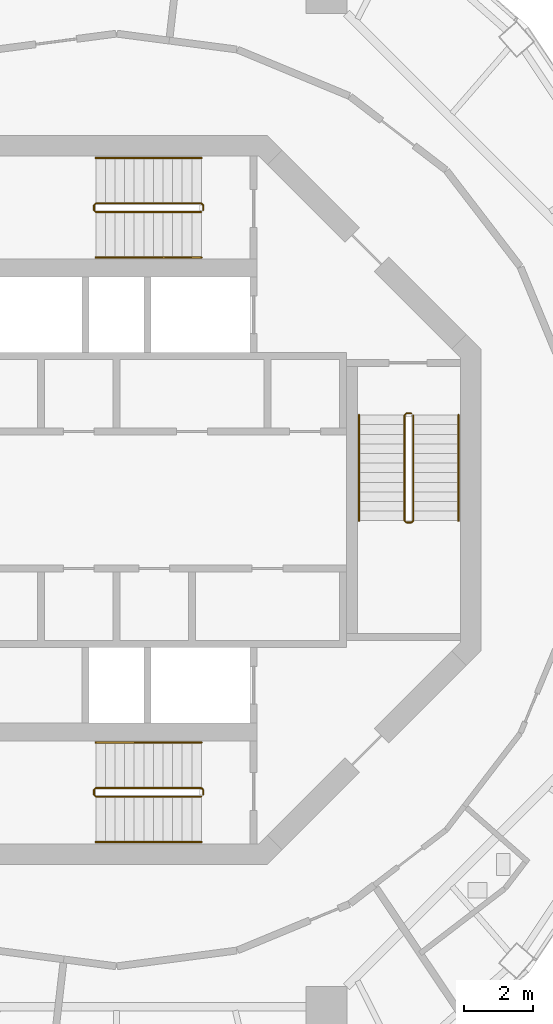
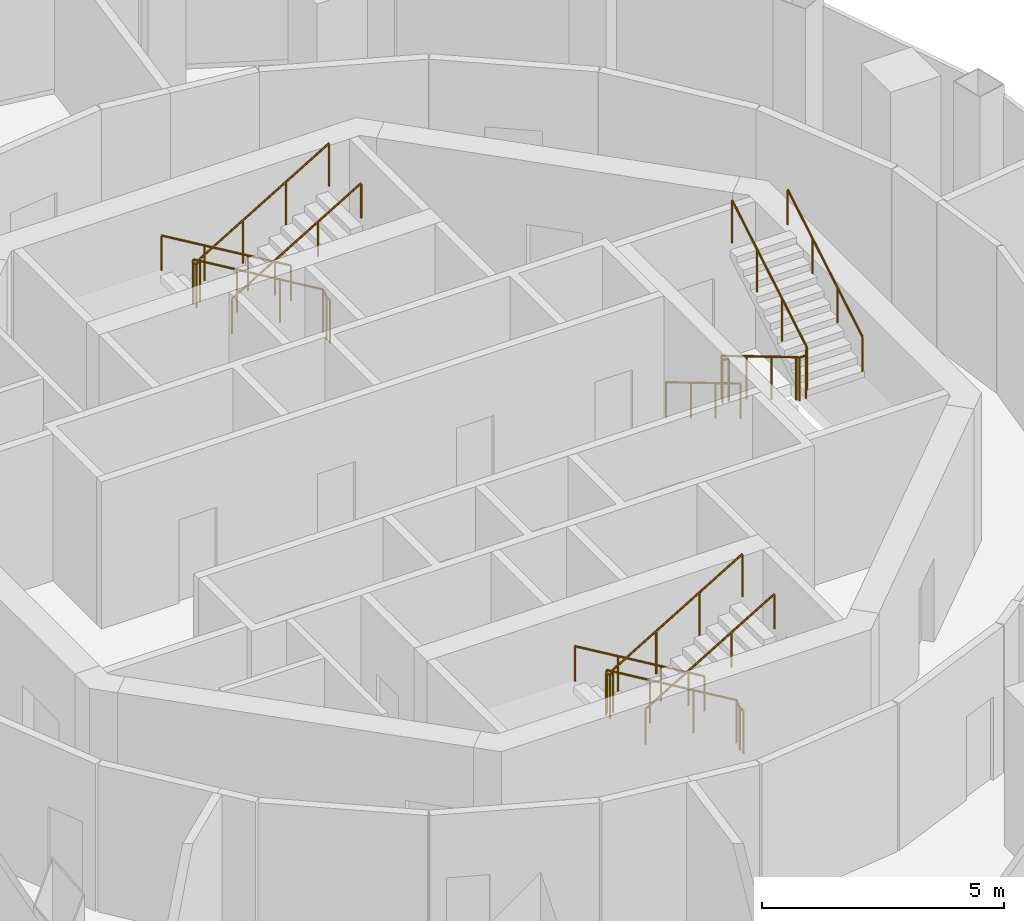
# One storey, part 11 of 12: 9 railings.
"""IFC4 building model written with IfcOpenShell, lengths in metres."""

from ifc_helpers import new_model, si_unit, direction, frame, origin, origin_2d, place, context, subcontext, project, spatial, circle, extrude, material, type_object, element, save


model = new_model("IFC4")

# Units and contexts
model_context = context("Model", 3, precision=1e-05, world=origin(), true_north=direction((0.0, 1.0)))
body_context = subcontext(model_context, "Body", "Model", "MODEL_VIEW")
ifc_project = project(units=[si_unit("LENGTHUNIT", "METRE"), si_unit("AREAUNIT", "SQUARE_METRE"), si_unit("VOLUMEUNIT", "CUBIC_METRE"), si_unit("PLANEANGLEUNIT", "RADIAN"), si_unit("MASSUNIT", "GRAM", prefix="KILO")], contexts=[model_context])

# Site, building, storey
site_placement = place(None, origin())
site = spatial("IfcSite", under=ifc_project, at=site_placement, CompositionType="ELEMENT")
building_placement = place(site_placement, origin())
building = spatial("IfcBuilding", under=site, at=building_placement, Name="Nagisa Residences", CompositionType="ELEMENT")
storey_placement = place(building_placement, frame((0.0, 0.0, 328.89990234375)))
storey = spatial("IfcBuildingStorey", under=building, at=storey_placement, Name="L81", CompositionType="ELEMENT", Elevation=328.89990234375)

# Railings
ifc_material_1 = material(Name="Stainless steel", Category="steel")
railing_type_1 = type_object("IfcRailingType", Name="Stair guard 1100", PredefinedType="GUARDRAIL", material=ifc_material_1)
railing_1_placement = place(storey_placement, frame((8.599609375, 2.52490234375, 0.0)))
element("IfcRailing", 1, at=railing_1_placement, inside=storey, type_object=railing_type_1, Name="L81 ST-E stair guard 1", PredefinedType="GUARDRAIL", context=body_context, shape_type="SweptSolid", body=[
    extrude(circle(Radius=0.02392578125, at=origin_2d()), frame((0.0, 0.0, 1.076171875), z_axis=(-1.0, 0.0, 0.0), x_axis=(0.0, -1.0, 0.0)), (0.0, 0.0, 1.0), 0.14990234375),
    extrude(circle(Radius=0.02392578125, at=origin_2d()), frame((-0.14990234375, 0.0, 1.076171875), z_axis=(-0.276389281352, -0.275041040955, 0.920848191041), x_axis=(0.705375805398, -0.708833529934, 0.0)), (0.0, 0.0, 1.0), 0.18115234375),
    extrude(circle(Radius=0.02392578125, at=origin_2d()), frame((-0.199951171875, -0.0498046875, 1.24267578125), z_axis=(0.0, -0.859308565015, 0.511457515432), x_axis=(1.0, 0.0, 0.0)), (0.0, 0.0, 1.0), 3.58447265625),
    extrude(circle(Radius=0.02392578125, at=origin_2d()), frame((-0.199951171875, -3.1298828125, 3.076171875), z_axis=(0.707106781187, -0.707106781187, 0.0), x_axis=(0.707106781187, 0.707106781187, 0.0)), (0.0, 0.0, 1.0), 0.07080078125),
    extrude(circle(Radius=0.02392578125, at=origin_2d()), frame((-0.14990234375, -3.179931640625, 3.076171875), z_axis=(1.0, 0.0, 0.0), x_axis=(0.0, 1.0, 0.0)), (0.0, 0.0, 1.0), 0.14990234375),
    extrude(circle(Radius=0.02392578125, at=origin_2d()), frame((0.0, -3.179931640625, 3.076171875), z_axis=(0.27628659633, 0.27628659633, 0.920506074601), x_axis=(-0.707106781187, 0.707106781187, 0.0)), (0.0, 0.0, 1.0), 0.18115234375),
    extrude(circle(Radius=0.02392578125, at=origin_2d()), frame((0.050048828125, -3.1298828125, 3.24267578125), z_axis=(0.0, 0.859308565015, 0.511457515432), x_axis=(-1.0, 0.0, 0.0)), (0.0, 0.0, 1.0), 3.58447265625),
    extrude(circle(Radius=0.02099609375, at=origin_2d()), origin(), (0.0, 0.0, 1.0), 1.052001953125),
    extrude(circle(Radius=0.02099609375, at=origin_2d()), frame((-0.14990234375, 0.0, 0.0)), (0.0, 0.0, 1.0), 1.052001953125),
    extrude(circle(Radius=0.02099609375, at=origin_2d()), frame((-0.199951171875, -0.0498046875, 0.166748046875)), (0.0, 0.0, 1.0), 1.052001953125),
    extrude(circle(Radius=0.02099609375, at=origin_2d()), frame((-0.199951171875, -1.076416015625, 0.77783203125)), (0.0, 0.0, 1.0), 1.052001953125),
    extrude(circle(Radius=0.02099609375, at=origin_2d()), frame((-0.199951171875, -2.103271484375, 1.388916015625)), (0.0, 0.0, 1.0), 1.052001953125),
    extrude(circle(Radius=0.02099609375, at=origin_2d()), frame((-0.199951171875, -3.1298828125, 2.0)), (0.0, 0.0, 1.0), 1.052001953125),
    extrude(circle(Radius=0.02099609375, at=origin_2d()), frame((-0.14990234375, -3.179931640625, 2.0)), (0.0, 0.0, 1.0), 1.052001953125),
    extrude(circle(Radius=0.02099609375, at=origin_2d()), frame((0.0, -3.179931640625, 2.0)), (0.0, 0.0, 1.0), 1.052001953125),
    extrude(circle(Radius=0.02099609375, at=origin_2d()), frame((0.050048828125, -3.1298828125, 2.166748046875)), (0.0, 0.0, 1.0), 1.052001953125),
    extrude(circle(Radius=0.02099609375, at=origin_2d()), frame((0.050048828125, -2.103271484375, 2.77783203125)), (0.0, 0.0, 1.0), 1.052001953125),
    extrude(circle(Radius=0.02099609375, at=origin_2d()), frame((0.050048828125, -1.076416015625, 3.388916015625)), (0.0, 0.0, 1.0), 1.052001953125),
    extrude(circle(Radius=0.02099609375, at=origin_2d()), frame((0.050048828125, -0.0498046875, 4.0)), (0.0, 0.0, 1.0), 1.052001953125),
])
railing_2_placement = place(storey_placement, frame((2.52490234375, 8.44970703125, 0.0)))
element("IfcRailing", 2, at=railing_2_placement, inside=storey, type_object=railing_type_1, Name="L81 ST-N stair guard 1", PredefinedType="GUARDRAIL", context=body_context, shape_type="SweptSolid", body=[
    extrude(circle(Radius=0.02392578125, at=origin_2d()), frame((0.0, 0.0, 1.076171875), z_axis=(0.0, 1.0, 0.0), x_axis=(-1.0, 0.0, 0.0)), (0.0, 0.0, 1.0), 0.14990234375),
    extrude(circle(Radius=0.02392578125, at=origin_2d()), frame((0.0, 0.14990234375, 1.076171875), z_axis=(-0.275041040955, 0.276389281352, 0.920848191041), x_axis=(-0.708833529934, -0.705375805398, 0.0)), (0.0, 0.0, 1.0), 0.18115234375),
    extrude(circle(Radius=0.02392578125, at=origin_2d()), frame((-0.0498046875, 0.199951171875, 1.24267578125), z_axis=(-0.859308565015, 0.0, 0.511457515432), x_axis=(0.0, -1.0, 0.0)), (0.0, 0.0, 1.0), 3.58447265625),
    extrude(circle(Radius=0.02392578125, at=origin_2d()), frame((-3.1298828125, 0.199951171875, 3.076171875), z_axis=(-0.707106781187, -0.707106781187, 0.0), x_axis=(0.707106781187, -0.707106781187, 0.0)), (0.0, 0.0, 1.0), 0.07080078125),
    extrude(circle(Radius=0.02392578125, at=origin_2d()), frame((-3.179931640625, 0.14990234375, 3.076171875), z_axis=(0.0, -1.0, 0.0), x_axis=(1.0, 0.0, 0.0)), (0.0, 0.0, 1.0), 0.14990234375),
    extrude(circle(Radius=0.02392578125, at=origin_2d()), frame((-3.179931640625, 0.0, 3.076171875), z_axis=(0.27628659633, -0.27628659633, 0.920506074601), x_axis=(0.707106781187, 0.707106781187, 0.0)), (0.0, 0.0, 1.0), 0.18115234375),
    extrude(circle(Radius=0.02392578125, at=origin_2d()), frame((-3.1298828125, -0.050048828125, 3.24267578125), z_axis=(0.859308565015, 0.0, 0.511457515432), x_axis=(0.0, 1.0, 0.0)), (0.0, 0.0, 1.0), 3.58447265625),
    extrude(circle(Radius=0.02099609375, at=origin_2d()), origin(), (0.0, 0.0, 1.0), 1.052001953125),
    extrude(circle(Radius=0.02099609375, at=origin_2d()), frame((0.0, 0.14990234375, 0.0)), (0.0, 0.0, 1.0), 1.052001953125),
    extrude(circle(Radius=0.02099609375, at=origin_2d()), frame((-0.0498046875, 0.199951171875, 0.166748046875)), (0.0, 0.0, 1.0), 1.052001953125),
    extrude(circle(Radius=0.02099609375, at=origin_2d()), frame((-1.076416015625, 0.199951171875, 0.77783203125)), (0.0, 0.0, 1.0), 1.052001953125),
    extrude(circle(Radius=0.02099609375, at=origin_2d()), frame((-2.103271484375, 0.199951171875, 1.388916015625)), (0.0, 0.0, 1.0), 1.052001953125),
    extrude(circle(Radius=0.02099609375, at=origin_2d()), frame((-3.1298828125, 0.199951171875, 2.0)), (0.0, 0.0, 1.0), 1.052001953125),
    extrude(circle(Radius=0.02099609375, at=origin_2d()), frame((-3.179931640625, 0.14990234375, 2.0)), (0.0, 0.0, 1.0), 1.052001953125),
    extrude(circle(Radius=0.02099609375, at=origin_2d()), frame((-3.179931640625, 0.0, 2.0)), (0.0, 0.0, 1.0), 1.052001953125),
    extrude(circle(Radius=0.02099609375, at=origin_2d()), frame((-3.1298828125, -0.050048828125, 2.166748046875)), (0.0, 0.0, 1.0), 1.052001953125),
    extrude(circle(Radius=0.02099609375, at=origin_2d()), frame((-2.103271484375, -0.050048828125, 2.77783203125)), (0.0, 0.0, 1.0), 1.052001953125),
    extrude(circle(Radius=0.02099609375, at=origin_2d()), frame((-1.076416015625, -0.050048828125, 3.388916015625)), (0.0, 0.0, 1.0), 1.052001953125),
    extrude(circle(Radius=0.02099609375, at=origin_2d()), frame((-0.0498046875, -0.050048828125, 4.0)), (0.0, 0.0, 1.0), 1.052001953125),
])
railing_3_placement = place(storey_placement, frame((2.52490234375, -8.599609375, 0.0)))
element("IfcRailing", 3, at=railing_3_placement, inside=storey, type_object=railing_type_1, Name="L81 ST-S stair guard 1", PredefinedType="GUARDRAIL", context=body_context, shape_type="SweptSolid", body=[
    extrude(circle(Radius=0.02392578125, at=origin_2d()), frame((0.0, 0.0, 1.076171875), z_axis=(0.0, 1.0, 0.0), x_axis=(-1.0, 0.0, 0.0)), (0.0, 0.0, 1.0), 0.14990234375),
    extrude(circle(Radius=0.02392578125, at=origin_2d()), frame((0.0, 0.14990234375, 1.076171875), z_axis=(-0.275041040955, 0.276389281352, 0.920848191041), x_axis=(-0.708833529934, -0.705375805398, 0.0)), (0.0, 0.0, 1.0), 0.18115234375),
    extrude(circle(Radius=0.02392578125, at=origin_2d()), frame((-0.0498046875, 0.199951171875, 1.24267578125), z_axis=(-0.859308565015, 0.0, 0.511457515432), x_axis=(0.0, -1.0, 0.0)), (0.0, 0.0, 1.0), 3.58447265625),
    extrude(circle(Radius=0.02392578125, at=origin_2d()), frame((-3.1298828125, 0.199951171875, 3.076171875), z_axis=(-0.707106781187, -0.707106781187, 0.0), x_axis=(0.707106781187, -0.707106781187, 0.0)), (0.0, 0.0, 1.0), 0.07080078125),
    extrude(circle(Radius=0.02392578125, at=origin_2d()), frame((-3.179931640625, 0.14990234375, 3.076171875), z_axis=(0.0, -1.0, 0.0), x_axis=(1.0, 0.0, 0.0)), (0.0, 0.0, 1.0), 0.14990234375),
    extrude(circle(Radius=0.02392578125, at=origin_2d()), frame((-3.179931640625, 0.0, 3.076171875), z_axis=(0.27628659633, -0.27628659633, 0.920506074601), x_axis=(0.707106781187, 0.707106781187, 0.0)), (0.0, 0.0, 1.0), 0.18115234375),
    extrude(circle(Radius=0.02392578125, at=origin_2d()), frame((-3.1298828125, -0.050048828125, 3.24267578125), z_axis=(0.859308565015, 0.0, 0.511457515432), x_axis=(0.0, 1.0, 0.0)), (0.0, 0.0, 1.0), 3.58447265625),
    extrude(circle(Radius=0.02099609375, at=origin_2d()), origin(), (0.0, 0.0, 1.0), 1.052001953125),
    extrude(circle(Radius=0.02099609375, at=origin_2d()), frame((0.0, 0.14990234375, 0.0)), (0.0, 0.0, 1.0), 1.052001953125),
    extrude(circle(Radius=0.02099609375, at=origin_2d()), frame((-0.0498046875, 0.199951171875, 0.166748046875)), (0.0, 0.0, 1.0), 1.052001953125),
    extrude(circle(Radius=0.02099609375, at=origin_2d()), frame((-1.076416015625, 0.199951171875, 0.77783203125)), (0.0, 0.0, 1.0), 1.052001953125),
    extrude(circle(Radius=0.02099609375, at=origin_2d()), frame((-2.103271484375, 0.199951171875, 1.388916015625)), (0.0, 0.0, 1.0), 1.052001953125),
    extrude(circle(Radius=0.02099609375, at=origin_2d()), frame((-3.1298828125, 0.199951171875, 2.0)), (0.0, 0.0, 1.0), 1.052001953125),
    extrude(circle(Radius=0.02099609375, at=origin_2d()), frame((-3.179931640625, 0.14990234375, 2.0)), (0.0, 0.0, 1.0), 1.052001953125),
    extrude(circle(Radius=0.02099609375, at=origin_2d()), frame((-3.179931640625, 0.0, 2.0)), (0.0, 0.0, 1.0), 1.052001953125),
    extrude(circle(Radius=0.02099609375, at=origin_2d()), frame((-3.1298828125, -0.050048828125, 2.166748046875)), (0.0, 0.0, 1.0), 1.052001953125),
    extrude(circle(Radius=0.02099609375, at=origin_2d()), frame((-2.103271484375, -0.050048828125, 2.77783203125)), (0.0, 0.0, 1.0), 1.052001953125),
    extrude(circle(Radius=0.02099609375, at=origin_2d()), frame((-1.076416015625, -0.050048828125, 3.388916015625)), (0.0, 0.0, 1.0), 1.052001953125),
    extrude(circle(Radius=0.02099609375, at=origin_2d()), frame((-0.0498046875, -0.050048828125, 4.0)), (0.0, 0.0, 1.0), 1.052001953125),
])
ifc_material_2 = material(Name="Stainless steel", Category="steel")
railing_type_2 = type_object("IfcRailingType", Name="Stair handrail 900", PredefinedType="HANDRAIL", material=ifc_material_2)
railing_4_placement = place(storey_placement, frame((7.07470703125, 2.47509765625, 0.166748046875)))
element("IfcRailing", 4, at=railing_4_placement, inside=storey, type_object=railing_type_2, Name="L81 ST-E stair handrail 1", PredefinedType="HANDRAIL", context=body_context, shape_type="SweptSolid", body=[
    extrude(circle(Radius=0.02392578125, at=origin_2d()), frame((0.0, 0.0, 0.8759765625), z_axis=(0.0, -0.859308565015, 0.511457515432), x_axis=(1.0, 0.0, 0.0)), (0.0, 0.0, 1.0), 3.58447265625),
    extrude(circle(Radius=0.02099609375, at=origin_2d()), origin(), (0.0, 0.0, 1.0), 0.851806640625),
    extrude(circle(Radius=0.02099609375, at=origin_2d()), frame((0.0, -1.026611328125, 0.611083984375)), (0.0, 0.0, 1.0), 0.851806640625),
    extrude(circle(Radius=0.02099609375, at=origin_2d()), frame((0.0, -2.053466796875, 1.22216796875)), (0.0, 0.0, 1.0), 0.851806640625),
    extrude(circle(Radius=0.02099609375, at=origin_2d()), frame((0.0, -3.080078125, 1.833251953125)), (0.0, 0.0, 1.0), 0.851806640625),
])
railing_5_placement = place(storey_placement, frame((9.974609375, -0.60498046875, 2.166748046875)))
element("IfcRailing", 5, at=railing_5_placement, inside=storey, type_object=railing_type_2, Name="L81 ST-E stair handrail 2", PredefinedType="HANDRAIL", context=body_context, shape_type="SweptSolid", body=[
    extrude(circle(Radius=0.02392578125, at=origin_2d()), frame((0.0, 0.0, 0.8759765625), z_axis=(0.0, 0.859308565015, 0.511457515432), x_axis=(-1.0, 0.0, 0.0)), (0.0, 0.0, 1.0), 3.58447265625),
    extrude(circle(Radius=0.02099609375, at=origin_2d()), origin(), (0.0, 0.0, 1.0), 0.851806640625),
    extrude(circle(Radius=0.02099609375, at=origin_2d()), frame((0.0, 1.026611328125, 0.611083984375)), (0.0, 0.0, 1.0), 0.851806640625),
    extrude(circle(Radius=0.02099609375, at=origin_2d()), frame((0.0, 2.053466796875, 1.22216796875)), (0.0, 0.0, 1.0), 0.851806640625),
    extrude(circle(Radius=0.02099609375, at=origin_2d()), frame((0.0, 3.080078125, 1.833251953125)), (0.0, 0.0, 1.0), 0.851806640625),
])
railing_6_placement = place(storey_placement, frame((2.47509765625, 9.974609375, 0.166748046875)))
element("IfcRailing", 6, at=railing_6_placement, inside=storey, type_object=railing_type_2, Name="L81 ST-N stair handrail 1", PredefinedType="HANDRAIL", context=body_context, shape_type="SweptSolid", body=[
    extrude(circle(Radius=0.02392578125, at=origin_2d()), frame((0.0, 0.0, 0.8759765625), z_axis=(-0.859308565015, 0.0, 0.511457515432), x_axis=(0.0, -1.0, 0.0)), (0.0, 0.0, 1.0), 3.58447265625),
    extrude(circle(Radius=0.02099609375, at=origin_2d()), origin(), (0.0, 0.0, 1.0), 0.851806640625),
    extrude(circle(Radius=0.02099609375, at=origin_2d()), frame((-1.026611328125, 0.0, 0.611083984375)), (0.0, 0.0, 1.0), 0.851806640625),
    extrude(circle(Radius=0.02099609375, at=origin_2d()), frame((-2.053466796875, 0.0, 1.22216796875)), (0.0, 0.0, 1.0), 0.851806640625),
    extrude(circle(Radius=0.02099609375, at=origin_2d()), frame((-3.080078125, 0.0, 1.833251953125)), (0.0, 0.0, 1.0), 0.851806640625),
])
railing_7_placement = place(storey_placement, frame((-0.60498046875, 7.07470703125, 2.166748046875)))
element("IfcRailing", 7, at=railing_7_placement, inside=storey, type_object=railing_type_2, Name="L81 ST-N stair handrail 2", PredefinedType="HANDRAIL", context=body_context, shape_type="SweptSolid", body=[
    extrude(circle(Radius=0.02392578125, at=origin_2d()), frame((0.0, 0.0, 0.8759765625), z_axis=(0.859308565015, 0.0, 0.511457515432), x_axis=(0.0, 1.0, 0.0)), (0.0, 0.0, 1.0), 3.58447265625),
    extrude(circle(Radius=0.02099609375, at=origin_2d()), origin(), (0.0, 0.0, 1.0), 0.851806640625),
    extrude(circle(Radius=0.02099609375, at=origin_2d()), frame((1.026611328125, 0.0, 0.611083984375)), (0.0, 0.0, 1.0), 0.851806640625),
    extrude(circle(Radius=0.02099609375, at=origin_2d()), frame((2.053466796875, 0.0, 1.22216796875)), (0.0, 0.0, 1.0), 0.851806640625),
    extrude(circle(Radius=0.02099609375, at=origin_2d()), frame((3.080078125, 0.0, 1.833251953125)), (0.0, 0.0, 1.0), 0.851806640625),
])
railing_8_placement = place(storey_placement, frame((2.47509765625, -7.07470703125, 0.166748046875)))
element("IfcRailing", 8, at=railing_8_placement, inside=storey, type_object=railing_type_2, Name="L81 ST-S stair handrail 1", PredefinedType="HANDRAIL", context=body_context, shape_type="SweptSolid", body=[
    extrude(circle(Radius=0.02392578125, at=origin_2d()), frame((0.0, 0.0, 0.8759765625), z_axis=(-0.859308565015, 0.0, 0.511457515432), x_axis=(0.0, -1.0, 0.0)), (0.0, 0.0, 1.0), 3.58447265625),
    extrude(circle(Radius=0.02099609375, at=origin_2d()), origin(), (0.0, 0.0, 1.0), 0.851806640625),
    extrude(circle(Radius=0.02099609375, at=origin_2d()), frame((-1.026611328125, 0.0, 0.611083984375)), (0.0, 0.0, 1.0), 0.851806640625),
    extrude(circle(Radius=0.02099609375, at=origin_2d()), frame((-2.053466796875, 0.0, 1.22216796875)), (0.0, 0.0, 1.0), 0.851806640625),
    extrude(circle(Radius=0.02099609375, at=origin_2d()), frame((-3.080078125, 0.0, 1.833251953125)), (0.0, 0.0, 1.0), 0.851806640625),
])
railing_9_placement = place(storey_placement, frame((-0.60498046875, -9.974609375, 2.166748046875)))
element("IfcRailing", 9, at=railing_9_placement, inside=storey, type_object=railing_type_2, Name="L81 ST-S stair handrail 2", PredefinedType="HANDRAIL", context=body_context, shape_type="SweptSolid", body=[
    extrude(circle(Radius=0.02392578125, at=origin_2d()), frame((0.0, 0.0, 0.8759765625), z_axis=(0.859308565015, 0.0, 0.511457515432), x_axis=(0.0, 1.0, 0.0)), (0.0, 0.0, 1.0), 3.58447265625),
    extrude(circle(Radius=0.02099609375, at=origin_2d()), origin(), (0.0, 0.0, 1.0), 0.851806640625),
    extrude(circle(Radius=0.02099609375, at=origin_2d()), frame((1.026611328125, 0.0, 0.611083984375)), (0.0, 0.0, 1.0), 0.851806640625),
    extrude(circle(Radius=0.02099609375, at=origin_2d()), frame((2.053466796875, 0.0, 1.22216796875)), (0.0, 0.0, 1.0), 0.851806640625),
    extrude(circle(Radius=0.02099609375, at=origin_2d()), frame((3.080078125, 0.0, 1.833251953125)), (0.0, 0.0, 1.0), 0.851806640625),
])

save(model, "model.ifc")
